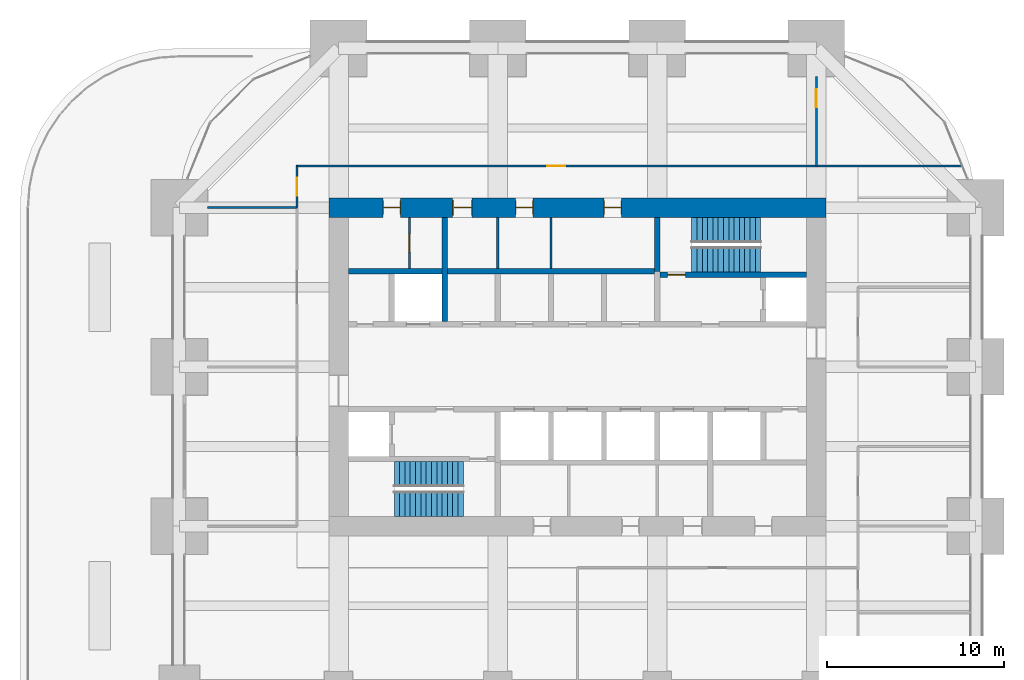
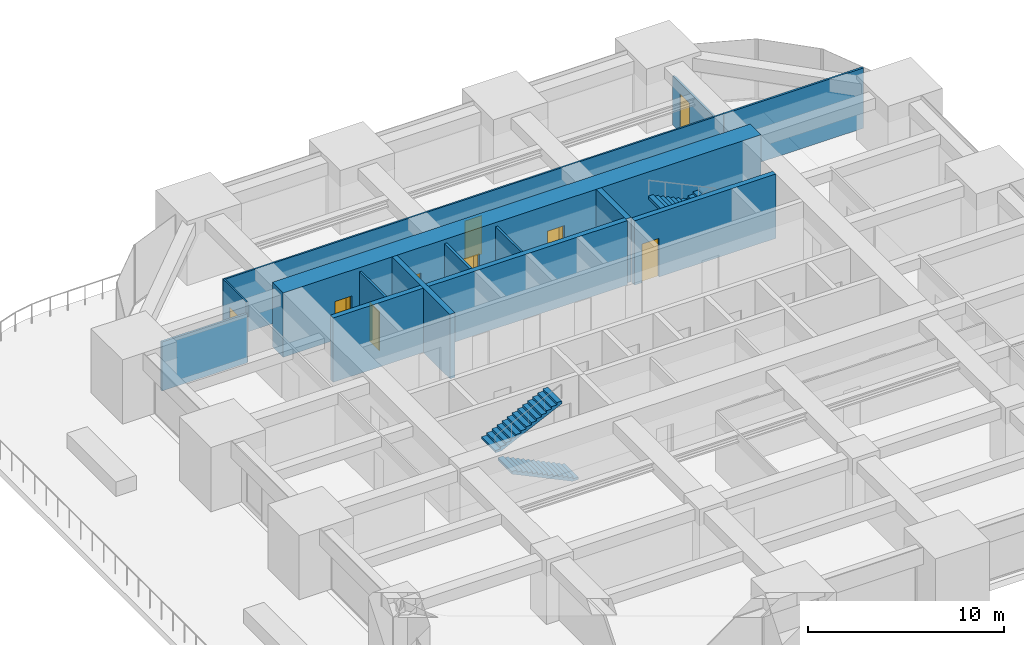
# One storey, part 38 of 40: 13 walls, 9 doors, 4 stair flights, 9 openings, 2 elements without a shape of their own.
"""IFC4 building model written with IfcOpenShell, lengths in metres."""

from ifc_helpers import new_model, si_unit, direction, frame, frame_2d, origin, place, context, subcontext, project, spatial, polyline, rectangle, outline, extrude, material, layer, layer_set, type_object, element, fill, aggregate, save


model = new_model("IFC4")

# Units and contexts
model_context = context("Model", 3, precision=1e-05, world=origin(), true_north=direction((0.0, 1.0)))
body_context = subcontext(model_context, "Body", "Model", "MODEL_VIEW")
ifc_project = project(units=[si_unit("LENGTHUNIT", "METRE"), si_unit("AREAUNIT", "SQUARE_METRE"), si_unit("VOLUMEUNIT", "CUBIC_METRE"), si_unit("PLANEANGLEUNIT", "RADIAN"), si_unit("MASSUNIT", "GRAM", prefix="KILO")], contexts=[model_context])

# Site, building, storey
site_placement = place(None, origin())
site = spatial("IfcSite", under=ifc_project, at=site_placement, CompositionType="ELEMENT")
building_placement = place(site_placement, origin())
building = spatial("IfcBuilding", under=site, at=building_placement, Name="Zorevar Civic Tower", CompositionType="ELEMENT")
storey_placement = place(building_placement, frame((0.0, 0.0, 239.39990234375)))
storey = spatial("IfcBuildingStorey", under=building, at=storey_placement, Name="L58", CompositionType="ELEMENT", Elevation=239.39990234375)

# Wall, openings, doors
ifc_material_1 = material(Name="Concrete C50/60", Category="concrete")
ifc_layer_1 = layer(ifc_material_1, 1.10009765625)
ifc_layer_set_1 = layer_set([ifc_layer_1], Name="Core wall 1100")
wall_type_1 = type_object("IfcWallType", Name="Core wall 1100", PredefinedType="SHEAR", material=ifc_layer_set_1)
wall_1_placement = place(storey_placement, frame((45.550048828125, 36.0, 0.0), z_axis=(0.0, 0.0, 1.0), x_axis=(-1.0, 0.0, 0.0)))
wall_1 = element("IfcWall", 1, at=wall_1_placement, inside=storey, type_object=wall_type_1, Name="Core wall N L58", PredefinedType="SHEAR", context=body_context, shape_type="SweptSolid", body=[
    extrude(rectangle(XDim=28.10009765625, YDim=1.10009765625, at=frame_2d((14.050048828125, 0.0))), origin(), (0.0, 0.0, 1.0), 4.0),
])
opening_1_placement = place(wall_1_placement, frame((11.550048828125, 0.0, 0.0)))
opening_1 = element("IfcOpeningElement", 2, at=opening_1_placement, cuts=wall_1, Name="Opening L58.07", PredefinedType="OPENING", context=body_context, shape_type="SweptSolid", body=[
    extrude(rectangle(XDim=1.0, YDim=2.39990234375, at=frame_2d((0.5, 1.199951171875))), frame((0.0, 0.56005859375, 0.0), z_axis=(0.0, -1.0, 0.0), x_axis=(1.0, 0.0, 0.0)), (0.0, 0.0, 1.0), 1.1201171875),
])
opening_2_placement = place(wall_1_placement, frame((16.550048828125, 0.0, 0.0)))
opening_2 = element("IfcOpeningElement", 3, at=opening_2_placement, cuts=wall_1, Name="Opening L58.08", PredefinedType="OPENING", context=body_context, shape_type="SweptSolid", body=[
    extrude(rectangle(XDim=1.0, YDim=2.39990234375, at=frame_2d((0.5, 1.199951171875))), frame((0.0, 0.56005859375, 0.0), z_axis=(0.0, -1.0, 0.0), x_axis=(1.0, 0.0, 0.0)), (0.0, 0.0, 1.0), 1.1201171875),
])
opening_3_placement = place(wall_1_placement, frame((20.0, 0.0, 0.0)))
opening_3 = element("IfcOpeningElement", 4, at=opening_3_placement, cuts=wall_1, Name="Opening L58.09", PredefinedType="OPENING", context=body_context, shape_type="SweptSolid", body=[
    extrude(rectangle(XDim=1.10009765625, YDim=2.39990234375, at=frame_2d((0.550048828125, 1.199951171875))), frame((0.0, 0.56005859375, 0.0), z_axis=(0.0, -1.0, 0.0), x_axis=(1.0, 0.0, 0.0)), (0.0, 0.0, 1.0), 1.1201171875),
])
opening_4_placement = place(wall_1_placement, frame((24.050048828125, 0.0, 0.0)))
opening_4 = element("IfcOpeningElement", 5, at=opening_4_placement, cuts=wall_1, Name="Opening L58.10", PredefinedType="OPENING", context=body_context, shape_type="SweptSolid", body=[
    extrude(rectangle(XDim=1.0, YDim=2.39990234375, at=frame_2d((0.5, 1.199951171875))), frame((0.0, 0.56005859375, 0.0), z_axis=(0.0, -1.0, 0.0), x_axis=(1.0, 0.0, 0.0)), (0.0, 0.0, 1.0), 1.1201171875),
])
ifc_material_2 = material(Name="Timber door set", Category="wood")
door_type_1 = type_object("IfcDoorType", Name="Door D1 1000x2400", OperationType="SINGLE_SWING_LEFT", PredefinedType="DOOR", material=ifc_material_2)
door_1_placement = place(opening_1_placement, origin())
door_1 = element("IfcDoor", 6, at=door_1_placement, inside=storey, type_object=door_type_1, Name="Door L58 06", OperationType="SINGLE_SWING_LEFT", OverallHeight=2.39990234375, OverallWidth=1.0, PredefinedType="DOOR", context=body_context, shape_type="SweptSolid", body=[
    extrude(rectangle(XDim=1.0, YDim=2.39990234375, at=frame_2d((0.5, 1.199951171875))), frame((0.0, 0.02490234375, 0.0), z_axis=(0.0, -1.0, 0.0), x_axis=(1.0, 0.0, 0.0)), (0.0, 0.0, 1.0), 0.050048828125),
    extrude(rectangle(XDim=0.04, YDim=2.39990234375, at=frame_2d((0.02001953125, 1.199951171875))), frame((0.0, 0.39990234375, 0.0), z_axis=(0.0, -1.0, 0.0), x_axis=(1.0, 0.0, 0.0)), (0.0, 0.0, 1.0), 0.800048828125),
    extrude(rectangle(XDim=0.04, YDim=2.39990234375, at=frame_2d((0.97998046875, 1.199951171875))), frame((0.0, 0.39990234375, 0.0), z_axis=(0.0, -1.0, 0.0), x_axis=(1.0, 0.0, 0.0)), (0.0, 0.0, 1.0), 0.800048828125),
    extrude(rectangle(XDim=1.0, YDim=0.04, at=frame_2d((0.5, 2.3798828125))), frame((0.0, 0.39990234375, 0.0), z_axis=(0.0, -1.0, 0.0), x_axis=(1.0, 0.0, 0.0)), (0.0, 0.0, 1.0), 0.800048828125),
])
fill(opening_1, door_1)
door_2_placement = place(opening_2_placement, origin())
door_2 = element("IfcDoor", 7, at=door_2_placement, inside=storey, type_object=door_type_1, Name="Door L58 07", OperationType="SINGLE_SWING_RIGHT", OverallHeight=2.39990234375, OverallWidth=1.0, PredefinedType="DOOR", context=body_context, shape_type="SweptSolid", body=[
    extrude(rectangle(XDim=1.0, YDim=2.39990234375, at=frame_2d((0.5, 1.199951171875))), frame((0.0, 0.02490234375, 0.0), z_axis=(0.0, -1.0, 0.0), x_axis=(1.0, 0.0, 0.0)), (0.0, 0.0, 1.0), 0.050048828125),
    extrude(rectangle(XDim=0.04, YDim=2.39990234375, at=frame_2d((0.02001953125, 1.199951171875))), frame((0.0, 0.39990234375, 0.0), z_axis=(0.0, -1.0, 0.0), x_axis=(1.0, 0.0, 0.0)), (0.0, 0.0, 1.0), 0.800048828125),
    extrude(rectangle(XDim=0.04, YDim=2.39990234375, at=frame_2d((0.97998046875, 1.199951171875))), frame((0.0, 0.39990234375, 0.0), z_axis=(0.0, -1.0, 0.0), x_axis=(1.0, 0.0, 0.0)), (0.0, 0.0, 1.0), 0.800048828125),
    extrude(rectangle(XDim=1.0, YDim=0.04, at=frame_2d((0.5, 2.3798828125))), frame((0.0, 0.39990234375, 0.0), z_axis=(0.0, -1.0, 0.0), x_axis=(1.0, 0.0, 0.0)), (0.0, 0.0, 1.0), 0.800048828125),
])
fill(opening_2, door_2)
door_3_placement = place(opening_4_placement, origin())
door_3 = element("IfcDoor", 8, at=door_3_placement, inside=storey, type_object=door_type_1, Name="Door L58 09", OperationType="SINGLE_SWING_RIGHT", OverallHeight=2.39990234375, OverallWidth=1.0, PredefinedType="DOOR", context=body_context, shape_type="SweptSolid", body=[
    extrude(rectangle(XDim=1.0, YDim=2.39990234375, at=frame_2d((0.5, 1.199951171875))), frame((0.0, 0.02490234375, 0.0), z_axis=(0.0, -1.0, 0.0), x_axis=(1.0, 0.0, 0.0)), (0.0, 0.0, 1.0), 0.050048828125),
    extrude(rectangle(XDim=0.04, YDim=2.39990234375, at=frame_2d((0.02001953125, 1.199951171875))), frame((0.0, 0.39990234375, 0.0), z_axis=(0.0, -1.0, 0.0), x_axis=(1.0, 0.0, 0.0)), (0.0, 0.0, 1.0), 0.800048828125),
    extrude(rectangle(XDim=0.04, YDim=2.39990234375, at=frame_2d((0.97998046875, 1.199951171875))), frame((0.0, 0.39990234375, 0.0), z_axis=(0.0, -1.0, 0.0), x_axis=(1.0, 0.0, 0.0)), (0.0, 0.0, 1.0), 0.800048828125),
    extrude(rectangle(XDim=1.0, YDim=0.04, at=frame_2d((0.5, 2.3798828125))), frame((0.0, 0.39990234375, 0.0), z_axis=(0.0, -1.0, 0.0), x_axis=(1.0, 0.0, 0.0)), (0.0, 0.0, 1.0), 0.800048828125),
])
fill(opening_4, door_3)
ifc_material_3 = material(Name="Timber door set", Category="wood")
door_type_2 = type_object("IfcDoorType", Name="Door D5 1100x2400", OperationType="SINGLE_SWING_LEFT", PredefinedType="DOOR", material=ifc_material_3)
door_4_placement = place(opening_3_placement, origin())
door_4 = element("IfcDoor", 9, at=door_4_placement, inside=storey, type_object=door_type_2, Name="Door L58 08", OperationType="SINGLE_SWING_RIGHT", OverallHeight=2.39990234375, OverallWidth=1.10009765625, PredefinedType="DOOR", context=body_context, shape_type="SweptSolid", body=[
    extrude(rectangle(XDim=1.10009765625, YDim=2.39990234375, at=frame_2d((0.550048828125, 1.199951171875))), frame((0.0, 0.02490234375, 0.0), z_axis=(0.0, -1.0, 0.0), x_axis=(1.0, 0.0, 0.0)), (0.0, 0.0, 1.0), 0.050048828125),
    extrude(rectangle(XDim=0.04, YDim=2.39990234375, at=frame_2d((0.02001953125, 1.199951171875))), frame((0.0, 0.43994140625, 0.0), z_axis=(0.0, -1.0, 0.0), x_axis=(1.0, 0.0, 0.0)), (0.0, 0.0, 1.0), 0.880126953125),
    extrude(rectangle(XDim=0.04, YDim=2.39990234375, at=frame_2d((1.080078125, 1.199951171875))), frame((0.0, 0.43994140625, 0.0), z_axis=(0.0, -1.0, 0.0), x_axis=(1.0, 0.0, 0.0)), (0.0, 0.0, 1.0), 0.880126953125),
    extrude(rectangle(XDim=1.10009765625, YDim=0.04, at=frame_2d((0.550048828125, 2.3798828125))), frame((0.0, 0.43994140625, 0.0), z_axis=(0.0, -1.0, 0.0), x_axis=(1.0, 0.0, 0.0)), (0.0, 0.0, 1.0), 0.880126953125),
])
fill(opening_3, door_4)

# Wall, opening, door
ifc_material_4 = material(Name="Laminated glass in black aluminium frame", Category="aluminium")
ifc_layer_2 = layer(ifc_material_4, 0.10009765625)
ifc_layer_set_2 = layer_set([ifc_layer_2], Name="Glazed partition 100")
wall_type_2 = type_object("IfcWallType", Name="Glazed partition 100", PredefinedType="PARTITIONING", material=ifc_layer_set_2)
wall_2_placement = place(storey_placement, frame((15.60009765625, 38.35009765625, 0.0), z_axis=(0.0, 0.0, 1.0), x_axis=(1.0, 0.0, 0.0)))
wall_2 = element("IfcWall", 10, at=wall_2_placement, inside=storey, type_object=wall_type_2, Name="Glazed partition 100 L58", PredefinedType="PARTITIONING", context=body_context, shape_type="SweptSolid", body=[
    extrude(rectangle(XDim=29.39990234375, YDim=0.10009765625, at=frame_2d((14.699951171875, 0.0))), origin(), (0.0, 0.0, 1.0), 3.75),
])
opening_5_placement = place(wall_2_placement, frame((14.199951171875, 0.0, 0.0)))
opening_5 = element("IfcOpeningElement", 11, at=opening_5_placement, cuts=wall_2, Name="Opening L58.19", PredefinedType="OPENING", context=body_context, shape_type="SweptSolid", body=[
    extrude(rectangle(XDim=1.0, YDim=2.39990234375, at=frame_2d((0.5, 1.199951171875))), frame((0.0, 0.06005859375, 0.0), z_axis=(0.0, -1.0, 0.0), x_axis=(1.0, 0.0, 0.0)), (0.0, 0.0, 1.0), 0.1201171875),
])
ifc_material_5 = material(Name="Timber door set", Category="wood")
door_type_3 = type_object("IfcDoorType", Name="Glazed door GD1 1000x2400", OperationType="SINGLE_SWING_LEFT", PredefinedType="DOOR", material=ifc_material_5)
door_5_placement = place(opening_5_placement, origin())
door_5 = element("IfcDoor", 12, at=door_5_placement, inside=storey, type_object=door_type_3, Name="Door L58 D1", OperationType="SINGLE_SWING_LEFT", OverallHeight=2.39990234375, OverallWidth=1.0, PredefinedType="DOOR", context=body_context, shape_type="SweptSolid", body=[
    extrude(rectangle(XDim=1.0, YDim=2.39990234375, at=frame_2d((0.5, 1.199951171875))), frame((0.0, 0.02001953125, 0.0), z_axis=(0.0, -1.0, 0.0), x_axis=(1.0, 0.0, 0.0)), (0.0, 0.0, 1.0), 0.0400390625),
])
fill(opening_5, door_5)

wall_3_placement = place(storey_placement, frame((15.64990234375, 36.010009765625, 0.0), z_axis=(0.0, 0.0, 1.0), x_axis=(0.0, 1.0, 0.0)))
wall_3 = element("IfcWall", 13, at=wall_3_placement, inside=storey, type_object=wall_type_2, Name="Glazed partition 100 L58", PredefinedType="PARTITIONING", context=body_context, shape_type="SweptSolid", body=[
    extrude(rectangle(XDim=2.340087890625, YDim=0.10009765625, at=frame_2d((1.169921875, 0.0))), origin(), (0.0, 0.0, 1.0), 3.75),
])
opening_6_placement = place(wall_3_placement, frame((0.669921875, 0.0, 0.0)))
opening_6 = element("IfcOpeningElement", 14, at=opening_6_placement, cuts=wall_3, Name="Opening L58.21", PredefinedType="OPENING", context=body_context, shape_type="SweptSolid", body=[
    extrude(rectangle(XDim=1.0, YDim=2.39990234375, at=frame_2d((0.5, 1.199951171875))), frame((0.0, 0.06005859375, 0.0), z_axis=(0.0, -1.0, 0.0), x_axis=(1.0, 0.0, 0.0)), (0.0, 0.0, 1.0), 0.1201171875),
])
door_6_placement = place(opening_6_placement, origin())
door_6 = element("IfcDoor", 15, at=door_6_placement, inside=storey, type_object=door_type_3, Name="Door L58 D1", OperationType="SINGLE_SWING_RIGHT", OverallHeight=2.39990234375, OverallWidth=1.0, PredefinedType="DOOR", context=body_context, shape_type="SweptSolid", body=[
    extrude(rectangle(XDim=1.0, YDim=2.39990234375, at=frame_2d((0.5, 1.199951171875))), frame((0.0, 0.02001953125, 0.0), z_axis=(0.0, -1.0, 0.0), x_axis=(1.0, 0.0, 0.0)), (0.0, 0.0, 1.0), 0.0400390625),
])
fill(opening_6, door_6)

ifc_material_6 = material(Name="Concrete C40/50", Category="concrete")
ifc_layer_3 = layer(ifc_material_6, 0.300048828125)
ifc_layer_set_3 = layer_set([ifc_layer_3], Name="Inner core wall 300")
wall_type_3 = type_object("IfcWallType", Name="Inner core wall 300", PredefinedType="SHEAR", material=ifc_layer_set_3)
wall_4_placement = place(storey_placement, frame((36.14990234375, 32.199951171875, 0.0), z_axis=(0.0, 0.0, 1.0), x_axis=(1.0, 0.0, 0.0)))
wall_4 = element("IfcWall", 16, at=wall_4_placement, inside=storey, type_object=wall_type_3, Name="Inner core wall N00 L58", PredefinedType="SHEAR", context=body_context, shape_type="SweptSolid", body=[
    extrude(rectangle(XDim=8.300048828125, YDim=0.300048828125, at=frame_2d((4.14990234375, 0.0))), origin(), (0.0, 0.0, 1.0), 4.0),
])
opening_7_placement = place(wall_4_placement, frame((0.449951171875, 0.0, 0.0)))
opening_7 = element("IfcOpeningElement", 17, at=opening_7_placement, cuts=wall_4, Name="Opening L58.12", PredefinedType="OPENING", context=body_context, shape_type="SweptSolid", body=[
    extrude(rectangle(XDim=1.0, YDim=2.39990234375, at=frame_2d((0.5, 1.199951171875))), frame((0.0, 0.159912109375, 0.0), z_axis=(0.0, -1.0, 0.0), x_axis=(1.0, 0.0, 0.0)), (0.0, 0.0, 1.0), 0.320068359375),
])
ifc_material_7 = material(Name="Steel door set", Category="steel")
door_type_4 = type_object("IfcDoorType", Name="Fire door FD1 1000x2400", OperationType="SINGLE_SWING_LEFT", PredefinedType="DOOR", material=ifc_material_7)
door_7_placement = place(opening_7_placement, origin())
door_7 = element("IfcDoor", 18, at=door_7_placement, inside=storey, type_object=door_type_4, Name="Door L58 11", OperationType="SINGLE_SWING_RIGHT", OverallHeight=2.39990234375, OverallWidth=1.0, PredefinedType="DOOR", context=body_context, shape_type="SweptSolid", body=[
    extrude(rectangle(XDim=1.0, YDim=2.39990234375, at=frame_2d((0.5, 1.199951171875))), frame((0.0, 0.030029296875, 0.0), z_axis=(0.0, -1.0, 0.0), x_axis=(1.0, 0.0, 0.0)), (0.0, 0.0, 1.0), 0.06005859375),
])
fill(opening_7, door_7)

# Walls
wall_5_placement = place(storey_placement, frame((36.0, 32.39990234375, 0.0), z_axis=(0.0, 0.0, 1.0), x_axis=(0.0, 1.0, 0.0)))
element("IfcWall", 19, at=wall_5_placement, inside=storey, type_object=wall_type_3, Name="Inner core wall N01 L58", PredefinedType="SHEAR", context=body_context, shape_type="SweptSolid", body=[
    extrude(rectangle(XDim=3.050048828125, YDim=0.300048828125, at=frame_2d((1.52490234375, 0.0))), origin(), (0.0, 0.0, 1.0), 4.0),
])
wall_6_placement = place(storey_placement, frame((18.550048828125, 32.39990234375, 0.0), z_axis=(0.0, 0.0, 1.0), x_axis=(1.0, 0.0, 0.0)))
element("IfcWall", 20, at=wall_6_placement, inside=storey, type_object=wall_type_3, Name="Inner core wall N04 L58", PredefinedType="SHEAR", context=body_context, shape_type="SweptSolid", body=[
    extrude(rectangle(XDim=17.300048828125, YDim=0.300048828125, at=frame_2d((8.64990234375, 0.0))), origin(), (0.0, 0.0, 1.0), 4.0),
])
wall_7_placement = place(storey_placement, frame((24.0, 29.550048828125, 0.0), z_axis=(0.0, 0.0, 1.0), x_axis=(0.0, 1.0, 0.0)))
element("IfcWall", 21, at=wall_7_placement, inside=storey, type_object=wall_type_3, Name="Inner core wall N08 L58", PredefinedType="SHEAR", context=body_context, shape_type="SweptSolid", body=[
    extrude(rectangle(XDim=5.89990234375, YDim=0.300048828125, at=frame_2d((2.949951171875, 0.0))), origin(), (0.0, 0.0, 1.0), 4.0),
])
ifc_material_8 = material(Name="Gypsum board on steel studs", Category="steel")
ifc_layer_4 = layer(ifc_material_8, 0.1201171875)
ifc_layer_set_4 = layer_set([ifc_layer_4], Name="Partition 120")
wall_type_4 = type_object("IfcWallType", Name="Partition 120", PredefinedType="PARTITIONING", material=ifc_layer_set_4)
wall_8_placement = place(storey_placement, frame((10.60009765625, 36.0, 0.0), z_axis=(0.0, 0.0, 1.0), x_axis=(1.0, 0.0, 0.0)))
element("IfcWall", 22, at=wall_8_placement, inside=storey, type_object=wall_type_4, Name="Partition 120 L58", PredefinedType="PARTITIONING", context=body_context, shape_type="SweptSolid", body=[
    extrude(rectangle(XDim=5.0498046875, YDim=0.1201171875, at=frame_2d((2.52490234375, 0.0))), origin(), (0.0, 0.0, 1.0), 3.050048828125),
])
wall_9_placement = place(storey_placement, frame((45.0, 38.35009765625, 0.0), z_axis=(0.0, 0.0, 1.0), x_axis=(1.0, 0.0, 0.0)))
element("IfcWall", 23, at=wall_9_placement, inside=storey, type_object=wall_type_4, Name="Partition 120 L58", PredefinedType="PARTITIONING", context=body_context, shape_type="SweptSolid", body=[
    extrude(rectangle(XDim=8.2060546875, YDim=0.1201171875, at=frame_2d((4.10302734375, 0.0))), origin(), (0.0, 0.0, 1.0), 3.75),
])

# Wall, opening, door
wall_10_placement = place(storey_placement, frame((45.0, 38.35009765625, 0.0), z_axis=(0.0, 0.0, 1.0), x_axis=(0.0, 1.0, 0.0)))
wall_10 = element("IfcWall", 24, at=wall_10_placement, inside=storey, type_object=wall_type_4, Name="Partition 120 L58", PredefinedType="PARTITIONING", context=body_context, shape_type="SweptSolid", body=[
    extrude(rectangle(XDim=5.0498046875, YDim=0.1201171875, at=frame_2d((2.52490234375, 0.0))), origin(), (0.0, 0.0, 1.0), 3.050048828125),
])
opening_8_placement = place(wall_10_placement, frame((3.324951171875, 0.0, 0.0)))
opening_8 = element("IfcOpeningElement", 25, at=opening_8_placement, cuts=wall_10, Name="Opening L58.23", PredefinedType="OPENING", context=body_context, shape_type="SweptSolid", body=[
    extrude(rectangle(XDim=1.0, YDim=2.39990234375, at=frame_2d((0.5, 1.199951171875))), frame((0.0, 0.070068359375, 0.0), z_axis=(0.0, -1.0, 0.0), x_axis=(1.0, 0.0, 0.0)), (0.0, 0.0, 1.0), 0.14013671875),
])
door_8_placement = place(opening_8_placement, origin())
door_8 = element("IfcDoor", 26, at=door_8_placement, inside=storey, type_object=door_type_1, Name="Door L58 D1", OperationType="SINGLE_SWING_LEFT", OverallHeight=2.39990234375, OverallWidth=1.0, PredefinedType="DOOR", context=body_context, shape_type="SweptSolid", body=[
    extrude(rectangle(XDim=1.0, YDim=2.39990234375, at=frame_2d((0.5, 1.199951171875))), frame((0.0, 0.02490234375, 0.0), z_axis=(0.0, -1.0, 0.0), x_axis=(1.0, 0.0, 0.0)), (0.0, 0.0, 1.0), 0.050048828125),
])
fill(opening_8, door_8)

# Wall
wall_11_placement = place(storey_placement, frame((30.0, 32.550048828125, 0.0), z_axis=(0.0, 0.0, 1.0), x_axis=(0.0, 1.0, 0.0)))
element("IfcWall", 27, at=wall_11_placement, inside=storey, type_object=wall_type_4, Name="Partition L58", PredefinedType="PARTITIONING", context=body_context, shape_type="SweptSolid", body=[
    extrude(rectangle(XDim=2.89990234375, YDim=0.1201171875, at=frame_2d((1.449951171875, 0.0))), origin(), (0.0, 0.0, 1.0), 3.75),
])

# Wall, opening, door
wall_12_placement = place(storey_placement, frame((22.0, 32.550048828125, 0.0), z_axis=(0.0, 0.0, 1.0), x_axis=(0.0, 1.0, 0.0)))
wall_12 = element("IfcWall", 28, at=wall_12_placement, inside=storey, type_object=wall_type_4, Name="Partition L58", PredefinedType="PARTITIONING", context=body_context, shape_type="SweptSolid", body=[
    extrude(rectangle(XDim=2.89990234375, YDim=0.1201171875, at=frame_2d((1.449951171875, 0.0))), origin(), (0.0, 0.0, 1.0), 3.75),
])
opening_9_placement = place(wall_12_placement, frame((0.949951171875, 0.0, 0.0)))
opening_9 = element("IfcOpeningElement", 29, at=opening_9_placement, cuts=wall_12, Name="Opening L58.28", PredefinedType="OPENING", context=body_context, shape_type="SweptSolid", body=[
    extrude(rectangle(XDim=1.0, YDim=2.39990234375, at=frame_2d((0.5, 1.199951171875))), frame((0.0, 0.070068359375, 0.0), z_axis=(0.0, -1.0, 0.0), x_axis=(1.0, 0.0, 0.0)), (0.0, 0.0, 1.0), 0.14013671875),
])
door_9_placement = place(opening_9_placement, origin())
door_9 = element("IfcDoor", 30, at=door_9_placement, inside=storey, type_object=door_type_4, Name="Door L58 EN", OperationType="SINGLE_SWING_LEFT", OverallHeight=2.39990234375, OverallWidth=1.0, PredefinedType="DOOR", context=body_context, shape_type="SweptSolid", body=[
    extrude(rectangle(XDim=1.0, YDim=2.39990234375, at=frame_2d((0.5, 1.199951171875))), frame((0.0, 0.030029296875, 0.0), z_axis=(0.0, -1.0, 0.0), x_axis=(1.0, 0.0, 0.0)), (0.0, 0.0, 1.0), 0.06005859375),
])
fill(opening_9, door_9)

# Wall
ifc_material_9 = material(Name="Gypsum board on steel studs, moisture resistant", Category="steel")
ifc_layer_5 = layer(ifc_material_9, 0.14990234375)
ifc_layer_set_5 = layer_set([ifc_layer_5], Name="WC partition 150")
wall_type_5 = type_object("IfcWallType", Name="WC partition 150", PredefinedType="PARTITIONING", material=ifc_layer_set_5)
wall_13_placement = place(storey_placement, frame((27.0, 32.550048828125, 0.0), z_axis=(0.0, 0.0, 1.0), x_axis=(0.0, 1.0, 0.0)))
element("IfcWall", 31, at=wall_13_placement, inside=storey, type_object=wall_type_5, Name="WC partition L58", PredefinedType="PARTITIONING", context=body_context, shape_type="SweptSolid", body=[
    extrude(rectangle(XDim=2.89990234375, YDim=0.14990234375, at=frame_2d((1.449951171875, 0.0))), origin(), (0.0, 0.0, 1.0), 3.75),
])

# Stair, stair flights
ifc_material_10 = material(Name="Precast concrete C40/50", Category="concrete")
stair_type = type_object("IfcStairType", Name="Stair ST 28R", PredefinedType="HALF_TURN_STAIR", material=ifc_material_10)
stair_1_placement = place(storey_placement, origin())
stair_1 = element("IfcStair", 32, at=stair_1_placement, inside=storey, type_object=stair_type, Name="Stair ST1 L58", PredefinedType="HALF_TURN_STAIR")
ifc_material_11 = material(Name="Precast concrete C40/50", Category="concrete")
stair_flight_type = type_object("IfcStairFlightType", Name="Stair flight", PredefinedType="STRAIGHT", material=ifc_material_11)
stair_flight_1_placement = place(storey_placement, frame((25.050048828125, 19.262451171875, 0.0), z_axis=(0.0, 0.0, 1.0), x_axis=(-1.0, 0.0, 0.0)))
stair_flight_1 = element("IfcStairFlight", 33, at=stair_flight_1_placement, type_object=stair_flight_type, Name="ST1 flight 1", NumberOfRisers=14, NumberOfTreads=13, PredefinedType="STRAIGHT", RiserHeight=0.142857143, TreadLength=0.3, context=body_context, shape_type="SweptSolid", body=[
    extrude(outline(polyline([(0.0, 0.0), (0.0, 0.142822265625), (0.300048828125, 0.142822265625), (0.300048828125, 0.28564453125), (0.60009765625, 0.28564453125), (0.60009765625, 0.428466796875), (0.89990234375, 0.428466796875), (0.89990234375, 0.571533203125), (1.199951171875, 0.571533203125), (1.199951171875, 0.71435546875), (1.5, 0.71435546875), (1.5, 0.857177734375), (1.800048828125, 0.857177734375), (1.800048828125, 1.0), (2.10009765625, 1.0), (2.10009765625, 1.142822265625), (2.39990234375, 1.142822265625), (2.39990234375, 1.28564453125), (2.699951171875, 1.28564453125), (2.699951171875, 1.428466796875), (3.0, 1.428466796875), (3.0, 1.571533203125), (3.300048828125, 1.571533203125), (3.300048828125, 1.71435546875), (3.60009765625, 1.71435546875), (3.60009765625, 1.857177734375), (3.89990234375, 1.857177734375), (3.89990234375, 2.0), (3.89990234375, 1.691162109375), (0.3486328125, 0.0), (0.0, 0.0)])), frame((0.0, 0.71240234375, 0.0), z_axis=(0.0, -1.0, 0.0), x_axis=(1.0, 0.0, 0.0)), (0.0, 0.0, 1.0), 1.425048828125),
])
stair_flight_2_placement = place(storey_placement, frame((21.14990234375, 20.9375, 2.0), z_axis=(0.0, 0.0, 1.0), x_axis=(1.0, 0.0, 0.0)))
stair_flight_2 = element("IfcStairFlight", 34, at=stair_flight_2_placement, type_object=stair_flight_type, Name="ST1 flight 2", NumberOfRisers=14, NumberOfTreads=13, PredefinedType="STRAIGHT", RiserHeight=0.142857143, TreadLength=0.3, context=body_context, shape_type="SweptSolid", body=[
    extrude(outline(polyline([(0.0, 0.0), (0.0, 0.142822265625), (0.300048828125, 0.142822265625), (0.300048828125, 0.28564453125), (0.60009765625, 0.28564453125), (0.60009765625, 0.428466796875), (0.89990234375, 0.428466796875), (0.89990234375, 0.571533203125), (1.199951171875, 0.571533203125), (1.199951171875, 0.71435546875), (1.5, 0.71435546875), (1.5, 0.857177734375), (1.800048828125, 0.857177734375), (1.800048828125, 1.0), (2.10009765625, 1.0), (2.10009765625, 1.142822265625), (2.39990234375, 1.142822265625), (2.39990234375, 1.28564453125), (2.699951171875, 1.28564453125), (2.699951171875, 1.428466796875), (3.0, 1.428466796875), (3.0, 1.571533203125), (3.300048828125, 1.571533203125), (3.300048828125, 1.71435546875), (3.60009765625, 1.71435546875), (3.60009765625, 1.857177734375), (3.89990234375, 1.857177734375), (3.89990234375, 2.0), (3.89990234375, 1.691162109375), (0.3486328125, 0.0), (0.0, 0.0)])), frame((0.0, 0.71240234375, 0.0), z_axis=(0.0, -1.0, 0.0), x_axis=(1.0, 0.0, 0.0)), (0.0, 0.0, 1.0), 1.425048828125),
])
aggregate(stair_1, [stair_flight_1, stair_flight_2])

stair_2_placement = place(storey_placement, origin())
stair_2 = element("IfcStair", 35, at=stair_2_placement, inside=storey, type_object=stair_type, Name="Stair ST2 L58", PredefinedType="HALF_TURN_STAIR")
stair_flight_3_placement = place(storey_placement, frame((37.949951171875, 34.737548828125, 0.0), z_axis=(0.0, 0.0, 1.0), x_axis=(1.0, 0.0, 0.0)))
stair_flight_3 = element("IfcStairFlight", 36, at=stair_flight_3_placement, type_object=stair_flight_type, Name="ST2 flight 1", NumberOfRisers=14, NumberOfTreads=13, PredefinedType="STRAIGHT", RiserHeight=0.142857143, TreadLength=0.3, context=body_context, shape_type="SweptSolid", body=[
    extrude(outline(polyline([(0.0, 0.0), (0.0, 0.142822265625), (0.300048828125, 0.142822265625), (0.300048828125, 0.28564453125), (0.60009765625, 0.28564453125), (0.60009765625, 0.428466796875), (0.89990234375, 0.428466796875), (0.89990234375, 0.571533203125), (1.199951171875, 0.571533203125), (1.199951171875, 0.71435546875), (1.5, 0.71435546875), (1.5, 0.857177734375), (1.800048828125, 0.857177734375), (1.800048828125, 1.0), (2.10009765625, 1.0), (2.10009765625, 1.142822265625), (2.39990234375, 1.142822265625), (2.39990234375, 1.28564453125), (2.699951171875, 1.28564453125), (2.699951171875, 1.428466796875), (3.0, 1.428466796875), (3.0, 1.571533203125), (3.300048828125, 1.571533203125), (3.300048828125, 1.71435546875), (3.60009765625, 1.71435546875), (3.60009765625, 1.857177734375), (3.89990234375, 1.857177734375), (3.89990234375, 2.0), (3.89990234375, 1.691162109375), (0.3486328125, 0.0), (0.0, 0.0)])), frame((0.0, 0.71240234375, 0.0), z_axis=(0.0, -1.0, 0.0), x_axis=(1.0, 0.0, 0.0)), (0.0, 0.0, 1.0), 1.425048828125),
])
stair_flight_4_placement = place(storey_placement, frame((41.85009765625, 33.0625, 2.0), z_axis=(0.0, 0.0, 1.0), x_axis=(-1.0, 0.0, 0.0)))
stair_flight_4 = element("IfcStairFlight", 37, at=stair_flight_4_placement, type_object=stair_flight_type, Name="ST2 flight 2", NumberOfRisers=14, NumberOfTreads=13, PredefinedType="STRAIGHT", RiserHeight=0.142857143, TreadLength=0.3, context=body_context, shape_type="SweptSolid", body=[
    extrude(outline(polyline([(0.0, 0.0), (0.0, 0.142822265625), (0.300048828125, 0.142822265625), (0.300048828125, 0.28564453125), (0.60009765625, 0.28564453125), (0.60009765625, 0.428466796875), (0.89990234375, 0.428466796875), (0.89990234375, 0.571533203125), (1.199951171875, 0.571533203125), (1.199951171875, 0.71435546875), (1.5, 0.71435546875), (1.5, 0.857177734375), (1.800048828125, 0.857177734375), (1.800048828125, 1.0), (2.10009765625, 1.0), (2.10009765625, 1.142822265625), (2.39990234375, 1.142822265625), (2.39990234375, 1.28564453125), (2.699951171875, 1.28564453125), (2.699951171875, 1.428466796875), (3.0, 1.428466796875), (3.0, 1.571533203125), (3.300048828125, 1.571533203125), (3.300048828125, 1.71435546875), (3.60009765625, 1.71435546875), (3.60009765625, 1.857177734375), (3.89990234375, 1.857177734375), (3.89990234375, 2.0), (3.89990234375, 1.691162109375), (0.3486328125, 0.0), (0.0, 0.0)])), frame((0.0, 0.71240234375, 0.0), z_axis=(0.0, -1.0, 0.0), x_axis=(1.0, 0.0, 0.0)), (0.0, 0.0, 1.0), 1.425048828125),
])
aggregate(stair_2, [stair_flight_3, stair_flight_4])

save(model, "model.ifc")
